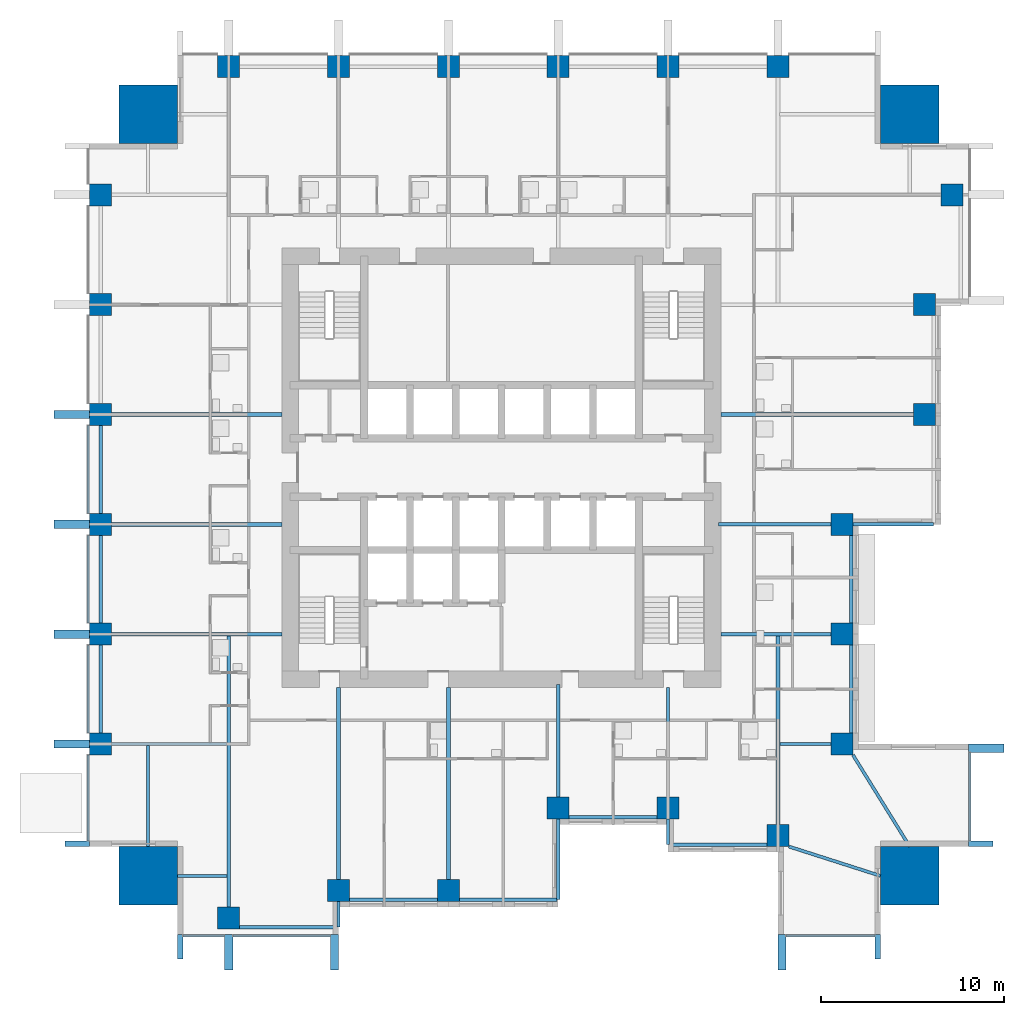
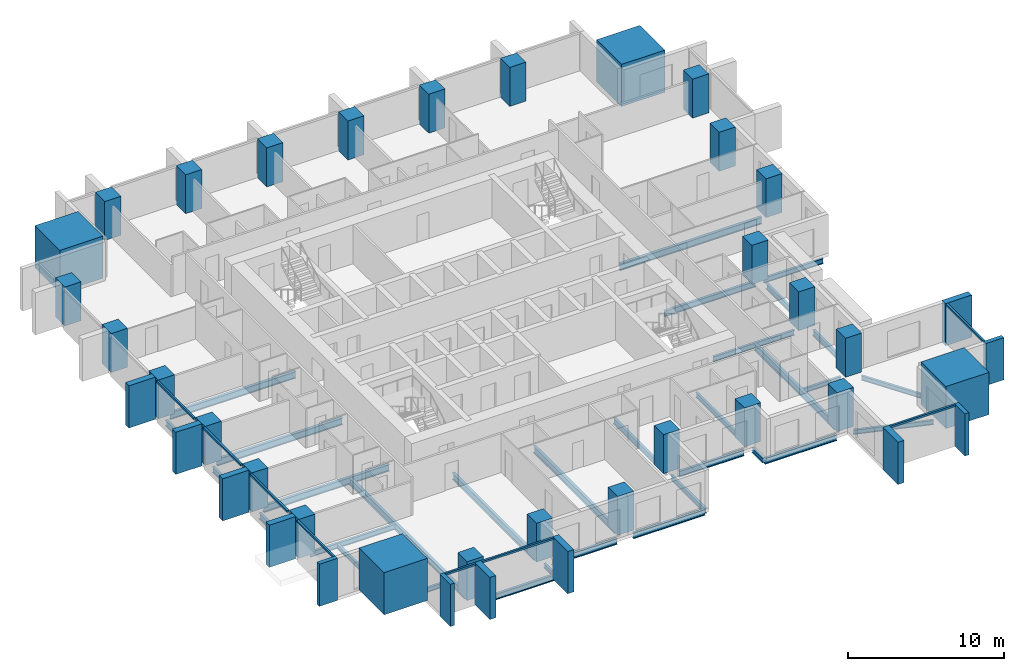
# One storey, part 1 of 10: 32 beams, 28 columns, 20 members, 4 elements without a shape of their own.
"""IFC4 building model written with IfcOpenShell, lengths in metres."""

import ifcopenshell
import ifcopenshell.guid

model = None  # the IFC model being written
_history = None  # IfcOwnerHistory: only IFC2X3 demands one
_inside = {}  # id of a spatial element -> (the spatial element, [elements in it])
_under = {}  # id of a project, library or spatial element -> (it, [spatial elements below it])
_declared = {}  # id of a project -> (the project, [libraries it declares])
_typed = {}  # id of a type object -> (the type object, [elements of that type])
_made_of = {}  # id of a material, layer set ... -> (it, [elements and type objects made of it])


def new_model(schema):
    """Start an empty IFC model of exactly this schema.

    Asked for "IFC4X3", IfcOpenShell would pick the latest addendum, in which some entities
    have other attributes; the version numbers below select the first issue.
    IFC2X3 requires an IfcOwnerHistory on every rooted entity: one is made here for all.
    """
    global model, _history
    if schema == "IFC4X3":
        model = ifcopenshell.file(schema_version=(4, 3, 0, 0))
    else:
        model = ifcopenshell.file(schema=schema)
    _inside.clear()
    _under.clear()
    _declared.clear()
    _typed.clear()
    _made_of.clear()
    _history = None
    if model.schema == "IFC2X3":
        org = make("IfcOrganization", Name="unknown")
        user = make(
            "IfcPersonAndOrganization",
            ThePerson=make("IfcPerson", FamilyName="unknown"),
            TheOrganization=org,
        )
        app = make(
            "IfcApplication",
            ApplicationDeveloper=org,
            Version="unknown",
            ApplicationFullName="unknown",
            ApplicationIdentifier="unknown",
        )
        _history = make(
            "IfcOwnerHistory",
            OwningUser=user,
            OwningApplication=app,
            ChangeAction="ADDED",
            CreationDate=0,
        )
    return model


def make(cls, **values):
    """One entity of the class cls with the attributes given. An attribute that is None is left unset."""
    return model.create_entity(
        cls, **{name: value for name, value in values.items() if value is not None}
    )


def rooted(cls, **values):
    """An entity with a GlobalId (a new one), such as an element, a storey or a relation."""
    return make(cls, GlobalId=ifcopenshell.guid.new(), OwnerHistory=_history, **values)


def si_unit(unit_type, name, prefix=None):
    """IfcSIUnit, for example si_unit("LENGTHUNIT", "METRE", prefix="MILLI")."""
    return make("IfcSIUnit", UnitType=unit_type, Prefix=prefix, Name=name)


def assignment(units):
    """IfcUnitAssignment: the units of a project."""
    return None if units is None else make("IfcUnitAssignment", Units=units)


def point(xyz):
    """IfcCartesianPoint."""
    return None if xyz is None else make("IfcCartesianPoint", Coordinates=xyz)


def direction(xyz):
    """IfcDirection."""
    return None if xyz is None else make("IfcDirection", DirectionRatios=xyz)


def frame(location, z_axis=None, x_axis=None):
    """IfcAxis2Placement3D, a coordinate frame: its origin and axes. An axis left out is left unset."""
    return make(
        "IfcAxis2Placement3D",
        Location=point(location),
        Axis=direction(z_axis),
        RefDirection=direction(x_axis),
    )


def frame_2d(location, x_axis=None):
    """IfcAxis2Placement2D, a coordinate frame in the plane: its origin and x axis."""
    return make(
        "IfcAxis2Placement2D", Location=point(location), RefDirection=direction(x_axis)
    )


def origin():
    """The frame at (0, 0, 0) with its axes left unset."""
    return frame((0.0, 0.0, 0.0))


def origin_2d():
    """The frame at (0, 0) in the plane with its x axis left unset."""
    return frame_2d((0.0, 0.0))


def place(relative_to, where):
    """IfcLocalPlacement: puts the frame where relative to a parent placement (None: the world)."""
    return make(
        "IfcLocalPlacement", PlacementRelTo=relative_to, RelativePlacement=where
    )


def context(
    kind, dimensions, precision=None, world=None, true_north=None, identifier=None
):
    """IfcGeometricRepresentationContext, for example the 3D "Model" context."""
    return make(
        "IfcGeometricRepresentationContext",
        ContextIdentifier=identifier,
        ContextType=kind,
        CoordinateSpaceDimension=dimensions,
        Precision=precision,
        WorldCoordinateSystem=world,
        TrueNorth=true_north,
    )


def subcontext(parent, identifier, kind, view, scale=None):
    """IfcGeometricRepresentationSubContext, for example "Body" below "Model"."""
    return make(
        "IfcGeometricRepresentationSubContext",
        ContextIdentifier=identifier,
        ContextType=kind,
        ParentContext=parent,
        TargetScale=scale,
        TargetView=view,
    )


def project(units=None, contexts=None):
    """IfcProject with its units and contexts."""
    return rooted(
        "IfcProject",
        Name="project",
        RepresentationContexts=contexts,
        UnitsInContext=assignment(units),
    )


def spatial(cls, under=None, at=None, **own):
    """A site, building, storey or space (cls), placed at a placement, below another one or the project."""
    s = rooted(cls, ObjectPlacement=at, **own)
    if under is not None:
        _under.setdefault(under.id(), (under, []))[1].append(s)
    return s


def profile(cls, at=None, kind="AREA", **sizes):
    """A parametric profile (cls). Its sizes go by their IFC names, for example OverallWidth=200.0."""
    return make(cls, ProfileType=kind, Position=at, **sizes)


def rectangle(**sizes):
    """IfcRectangleProfileDef."""
    return profile("IfcRectangleProfileDef", **sizes)


def i_section(**sizes):
    """IfcIShapeProfileDef."""
    return profile("IfcIShapeProfileDef", **sizes)


def extrude(swept, where, along, depth):
    """IfcExtrudedAreaSolid: the profile swept, set in the frame where, extruded along a direction by depth."""
    return make(
        "IfcExtrudedAreaSolid",
        SweptArea=swept,
        Position=where,
        ExtrudedDirection=direction(along),
        Depth=depth,
    )


def shape(context_of_items, identifier, shape_type, items):
    """IfcShapeRepresentation: the items that make up one representation, for example the "Body"."""
    return make(
        "IfcShapeRepresentation",
        ContextOfItems=context_of_items,
        RepresentationIdentifier=identifier,
        RepresentationType=shape_type,
        Items=items,
    )


def material(Name=None, Category=None):
    """IfcMaterial."""
    return make("IfcMaterial", Name=Name, Category=Category)


def material_profile(
    of_material, cross_section, Name=None, Category=None, Priority=None
):
    """IfcMaterialProfile: a cross section and its material."""
    return make(
        "IfcMaterialProfile",
        Name=Name,
        Material=of_material,
        Profile=cross_section,
        Priority=Priority,
        Category=Category,
    )


def profile_set(profiles, Name=None, composite=None):
    """IfcMaterialProfileSet."""
    return make(
        "IfcMaterialProfileSet",
        Name=Name,
        MaterialProfiles=profiles,
        CompositeProfile=composite,
    )


def made_of(thing, what):
    """Note that an element or type object is made of a material, layer set ...; save() writes the relation."""
    if what is not None:
        _made_of.setdefault(what.id(), (what, []))[1].append(thing)
    return thing


def type_object(cls, material=None, **own):
    """A type object (cls), such as IfcWallType, which elements share."""
    return made_of(rooted(cls, **own), material)


def element(
    cls,
    number,
    at=None,
    inside=None,
    cuts=None,
    type_object=None,
    material=None,
    context=None,
    identifier="Body",
    shape_type=None,
    held_by="IfcProductDefinitionShape",
    body=None,
    shapes=None,
    **own,
):
    """One element of the class cls, such as IfcWall. Its Tag is "e" and its number.

    at: its placement. inside: the storey or other place that contains it. cuts: it is an
    opening in that element (IfcRelVoidsElement). A single representation is given by context,
    identifier, shape_type and body (its items); several are given by shapes. held_by: the class
    of the entity that holds the representations. save() writes the other relations.
    """
    e = rooted(cls, Tag="e%d" % number, ObjectPlacement=at, **own)
    if body is not None:
        shapes = [shape(context, identifier, shape_type, body)]
    if shapes is not None:
        e.Representation = make(held_by, Representations=shapes)
    if inside is not None:
        _inside.setdefault(inside.id(), (inside, []))[1].append(e)
    if cuts is not None:
        rooted(
            "IfcRelVoidsElement", RelatingBuildingElement=cuts, RelatedOpeningElement=e
        )
    if type_object is not None:
        _typed.setdefault(type_object.id(), (type_object, []))[1].append(e)
    return made_of(e, material)


def aggregate(whole, parts):
    """IfcRelAggregates: a whole, such as a stair, and the parts it consists of."""
    return rooted("IfcRelAggregates", RelatingObject=whole, RelatedObjects=parts)


def save(model, path):
    """Write the relations noted so far, then the file.

    IfcRelAggregates (storeys below a building ...), IfcRelContainedInSpatialStructure (elements
    in a storey), IfcRelDefinesByType, IfcRelAssociatesMaterial and IfcRelDeclares: one each for
    every whole, place, type object, material and project.
    """
    for whole, parts in _under.values():
        aggregate(whole, parts)
    for where, things in _inside.values():
        rooted(
            "IfcRelContainedInSpatialStructure",
            RelatedElements=things,
            RelatingStructure=where,
        )
    for kind, things in _typed.values():
        rooted("IfcRelDefinesByType", RelatedObjects=things, RelatingType=kind)
    for what, things in _made_of.values():
        rooted("IfcRelAssociatesMaterial", RelatedObjects=things, RelatingMaterial=what)
    for by, libraries in _declared.values():
        rooted("IfcRelDeclares", RelatingContext=by, RelatedDefinitions=libraries)
    model.write(path)


model = new_model("IFC4")

# Units and contexts
model_context = context("Model", 3, precision=1e-05, world=origin(), true_north=direction((0.0, 1.0)))
body_context = subcontext(model_context, "Body", "Model", "MODEL_VIEW")
ifc_project = project(units=[si_unit("LENGTHUNIT", "METRE"), si_unit("AREAUNIT", "SQUARE_METRE"), si_unit("VOLUMEUNIT", "CUBIC_METRE"), si_unit("PLANEANGLEUNIT", "RADIAN"), si_unit("MASSUNIT", "GRAM", prefix="KILO")], contexts=[model_context])

# Site, building, storey
site_placement = place(None, origin())
site = spatial("IfcSite", under=ifc_project, at=site_placement, CompositionType="ELEMENT")
building_placement = place(site_placement, origin())
building = spatial("IfcBuilding", under=site, at=building_placement, Name="Amberfall Residences", CompositionType="ELEMENT")
storey_placement = place(building_placement, frame((0.0, 0.0, 26.800048828125)))
storey = spatial("IfcBuildingStorey", under=building, at=storey_placement, Name="L06", CompositionType="ELEMENT", Elevation=26.800048828125)

# Columns
ifc_material_1 = material(Name="Concrete C80", Category="concrete")
ifc_material_profile_1 = material_profile(ifc_material_1, rectangle(XDim=1.199951171875, YDim=1.199951171875, at=origin_2d()), Name="Column 1200 x 1200 C80")
ifc_profile_set_1 = profile_set([ifc_material_profile_1], Name="Concrete C80")
column_type_1 = type_object("IfcColumnType", Name="Column 1200 x 1200 C80", PredefinedType="COLUMN", material=ifc_profile_set_1)
for number, where, z_axis, x_axis, name in (
    (1, (59.60009765625, 20.89990234375, 0.0), (0.0, 0.0, 1.0), (1.0, 0.0, 0.0), "Column C1 L06 S1"),
    (2, (65.60009765625, 22.39990234375, 0.0), (0.0, 0.0, 1.0), (1.0, 0.0, 0.0), "Column C1 L06 S2"),
    (3, (71.60009765625, 22.39990234375, 0.0), (0.0, 0.0, 1.0), (1.0, 0.0, 0.0), "Column C1 L06 S3"),
    (4, (77.60009765625, 26.89990234375, 0.0), (0.0, 0.0, 1.0), (1.0, 0.0, 0.0), "Column C1 L06 S4"),
    (5, (83.60009765625, 26.89990234375, 0.0), (0.0, 0.0, 1.0), (1.0, 0.0, 0.0), "Column C1 L06 S5"),
    (6, (89.60009765625, 25.39990234375, 0.0), (0.0, 0.0, 1.0), (1.0, 0.0, 0.0), "Column C1 L06 S6"),
    (7, (93.10009765625, 30.39990234375, 0.0), (0.0, 0.0, 1.0), (1.0, 0.0, 0.0), "Column C1 L06 E1"),
    (8, (93.10009765625, 36.39990234375, 0.0), (0.0, 0.0, 1.0), (1.0, 0.0, 0.0), "Column C1 L06 E2"),
    (9, (93.10009765625, 42.39990234375, 0.0), (0.0, 0.0, 1.0), (1.0, 0.0, 0.0), "Column C1 L06 E3"),
    (10, (97.60009765625, 48.39990234375, 0.0), (0.0, 0.0, 1.0), (1.0, 0.0, 0.0), "Column C1 L06 E4"),
    (11, (97.60009765625, 54.39990234375, 0.0), (0.0, 0.0, 1.0), (1.0, 0.0, 0.0), "Column C1 L06 E5"),
    (12, (99.10009765625, 60.39990234375, 0.0), (0.0, 0.0, 1.0), (1.0, 0.0, 0.0), "Column C1 L06 E6"),
    (13, (59.60009765625, 67.39990234375, 0.0), (0.0, 0.0, 1.0), (1.0, 0.0, 0.0), "Column C1 L06 N1"),
    (14, (65.60009765625, 67.39990234375, 0.0), (0.0, 0.0, 1.0), (1.0, 0.0, 0.0), "Column C1 L06 N2"),
    (15, (71.60009765625, 67.39990234375, 0.0), (0.0, 0.0, 1.0), (1.0, 0.0, 0.0), "Column C1 L06 N3"),
    (16, (77.60009765625, 67.39990234375, 0.0), (0.0, 0.0, 1.0), (1.0, 0.0, 0.0), "Column C1 L06 N4"),
    (17, (83.60009765625, 67.39990234375, 0.0), (0.0, 0.0, 1.0), (1.0, 0.0, 0.0), "Column C1 L06 N5"),
    (18, (89.60009765625, 67.39990234375, 0.0), (0.0, 0.0, 1.0), (1.0, 0.0, 0.0), "Column C1 L06 N6"),
    (19, (52.60009765625, 30.39990234375, 0.0), (0.0, 0.0, 1.0), (1.0, 0.0, 0.0), "Column C1 L06 W1"),
    (20, (52.60009765625, 36.39990234375, 0.0), (0.0, 0.0, 1.0), (1.0, 0.0, 0.0), "Column C1 L06 W2"),
    (21, (52.60009765625, 42.39990234375, 0.0), (0.0, 0.0, 1.0), (1.0, 0.0, 0.0), "Column C1 L06 W3"),
    (22, (52.60009765625, 48.39990234375, 0.0), (0.0, 0.0, 1.0), (1.0, 0.0, 0.0), "Column C1 L06 W4"),
    (23, (52.60009765625, 54.39990234375, 0.0), (0.0, 0.0, 1.0), (1.0, 0.0, 0.0), "Column C1 L06 W5"),
    (24, (52.60009765625, 60.39990234375, 0.0), (0.0, 0.0, 1.0), (1.0, 0.0, 0.0), "Column C1 L06 W6"),
):
    element("IfcColumn", number, at=place(storey_placement, frame(where, z_axis=z_axis, x_axis=x_axis)), inside=storey, type_object=column_type_1, Name=name, PredefinedType="COLUMN", context=body_context, shape_type="SweptSolid", body=[
        extrude(rectangle(XDim=1.199951171875, YDim=1.199951171875, at=origin_2d()), origin(), (0.0, 0.0, 1.0), 3.050048828125),
    ])
ifc_material_profile_2 = material_profile(ifc_material_1, rectangle(XDim=3.199951171875, YDim=3.199951171875, at=origin_2d()), Name="Mega column 3200 x 3200 C80")
ifc_profile_set_2 = profile_set([ifc_material_profile_2], Name="Concrete C80")
column_type_2 = type_object("IfcColumnType", Name="Mega column 3200 x 3200 C80", PredefinedType="COLUMN", material=ifc_profile_set_2)
for number, where, z_axis, x_axis, name in (
    (25, (55.199951171875, 23.199951171875, 0.0), (0.0, 0.0, 1.0), (1.0, 0.0, 0.0), "Mega column MC1 L06 SW"),
    (26, (96.800048828125, 23.199951171875, 0.0), (0.0, 0.0, 1.0), (1.0, 0.0, 0.0), "Mega column MC1 L06 SE"),
    (27, (96.800048828125, 64.800048828125, 0.0), (0.0, 0.0, 1.0), (1.0, 0.0, 0.0), "Mega column MC1 L06 NE"),
    (28, (55.199951171875, 64.800048828125, 0.0), (0.0, 0.0, 1.0), (1.0, 0.0, 0.0), "Mega column MC1 L06 NW"),
):
    element("IfcColumn", number, at=place(storey_placement, frame(where, z_axis=z_axis, x_axis=x_axis)), inside=storey, type_object=column_type_2, Name=name, PredefinedType="COLUMN", context=body_context, shape_type="SweptSolid", body=[
        extrude(rectangle(XDim=3.199951171875, YDim=3.199951171875, at=origin_2d()), origin(), (0.0, 0.0, 1.0), 3.300048828125),
    ])

# Curtain wall, members
ifc_material_2 = material(Name="Bronze anodised aluminium and glass", Category="aluminium")
curtain_wall_type = type_object("IfcCurtainWallType", Name="Curtain wall CW1 tower unit", PredefinedType="USERDEFINED", material=ifc_material_2)
curtain_wall_1_placement = place(storey_placement, origin())
curtain_wall_1 = element("IfcCurtainWall", 29, at=curtain_wall_1_placement, inside=storey, type_object=curtain_wall_type, Name="Curtain wall L06 S S1", ObjectType="UNITISED CURTAIN WALL", PredefinedType="USERDEFINED")
ifc_material_3 = material(Name="Bronze anodised aluminium", Category="aluminium")
ifc_material_profile_3 = material_profile(ifc_material_3, rectangle(XDim=0.14990234375, YDim=0.14990234375, at=origin_2d()), Name="CW1 transom 150 x 150 bronze")
ifc_profile_set_3 = profile_set([ifc_material_profile_3], Name="Bronze anodised aluminium")
member_type_1 = type_object("IfcMemberType", Name="CW1 transom 150 x 150 bronze", PredefinedType="USERDEFINED", material=ifc_profile_set_3)
member_1_placement = place(storey_placement, frame((57.10009765625, 19.925048828125, 2.974853515625), z_axis=(1.0, 0.0, 0.0), x_axis=(0.0, 1.0, 0.0)))
member_1 = element("IfcMember", 30, at=member_1_placement, type_object=member_type_1, Name="CW1 transom 1.1", ObjectType="TRANSOM", PredefinedType="USERDEFINED", context=body_context, shape_type="SweptSolid", body=[
    extrude(rectangle(XDim=0.14990234375, YDim=0.14990234375, at=origin_2d()), origin(), (0.0, 0.0, 1.0), 2.27490234375),
])
member_2_placement = place(storey_placement, frame((59.824951171875, 19.925048828125, 2.974853515625), z_axis=(1.0, 0.0, 0.0), x_axis=(0.0, 1.0, 0.0)))
member_2 = element("IfcMember", 31, at=member_2_placement, type_object=member_type_1, Name="CW1 transom 2.1", ObjectType="TRANSOM", PredefinedType="USERDEFINED", context=body_context, shape_type="SweptSolid", body=[
    extrude(rectangle(XDim=0.14990234375, YDim=0.14990234375, at=origin_2d()), origin(), (0.0, 0.0, 1.0), 5.324951171875),
])

# Curtain wall, member
curtain_wall_2_placement = place(storey_placement, origin())
curtain_wall_2 = element("IfcCurtainWall", 32, at=curtain_wall_2_placement, inside=storey, type_object=curtain_wall_type, Name="Curtain wall L06 S S10", ObjectType="UNITISED CURTAIN WALL", PredefinedType="USERDEFINED")
member_3_placement = place(storey_placement, frame((90.050048828125, 19.925048828125, 2.974853515625), z_axis=(1.0, 0.0, 0.0), x_axis=(0.0, 1.0, 0.0)))
member_3 = element("IfcMember", 33, at=member_3_placement, type_object=member_type_1, Name="CW1 transom 1.1", ObjectType="TRANSOM", PredefinedType="USERDEFINED", context=body_context, shape_type="SweptSolid", body=[
    extrude(rectangle(XDim=0.14990234375, YDim=0.14990234375, at=origin_2d()), origin(), (0.0, 0.0, 1.0), 4.849853515625),
])

curtain_wall_3_placement = place(storey_placement, origin())
curtain_wall_3 = element("IfcCurtainWall", 34, at=curtain_wall_3_placement, inside=storey, type_object=curtain_wall_type, Name="Curtain wall L06 E E1", ObjectType="UNITISED CURTAIN WALL", PredefinedType="USERDEFINED")
member_4_placement = place(storey_placement, frame((100.074951171875, 25.10009765625, 2.974853515625), z_axis=(0.0, 1.0, 0.0), x_axis=(-1.0, 0.0, 0.0)))
member_4 = element("IfcMember", 35, at=member_4_placement, type_object=member_type_1, Name="CW1 transom 1.1", ObjectType="TRANSOM", PredefinedType="USERDEFINED", context=body_context, shape_type="SweptSolid", body=[
    extrude(rectangle(XDim=0.14990234375, YDim=0.14990234375, at=origin_2d()), origin(), (0.0, 0.0, 1.0), 4.849853515625),
])

# Curtain wall, members
curtain_wall_4_placement = place(storey_placement, origin())
curtain_wall_4 = element("IfcCurtainWall", 36, at=curtain_wall_4_placement, inside=storey, type_object=curtain_wall_type, Name="Curtain wall L06 W W1", ObjectType="UNITISED CURTAIN WALL", PredefinedType="USERDEFINED")
member_5_placement = place(storey_placement, frame((51.925048828125, 47.794921875, 2.974853515625), z_axis=(0.0, -1.0, 0.0), x_axis=(1.0, 0.0, 0.0)))
member_5 = element("IfcMember", 37, at=member_5_placement, type_object=member_type_1, Name="CW1 transom 4.1", ObjectType="TRANSOM", PredefinedType="USERDEFINED", context=body_context, shape_type="SweptSolid", body=[
    extrude(rectangle(XDim=0.14990234375, YDim=0.14990234375, at=origin_2d()), origin(), (0.0, 0.0, 1.0), 4.7900390625),
])
member_6_placement = place(storey_placement, frame((51.925048828125, 41.794921875, 2.974853515625), z_axis=(0.0, -1.0, 0.0), x_axis=(1.0, 0.0, 0.0)))
member_6 = element("IfcMember", 38, at=member_6_placement, type_object=member_type_1, Name="CW1 transom 5.1", ObjectType="TRANSOM", PredefinedType="USERDEFINED", context=body_context, shape_type="SweptSolid", body=[
    extrude(rectangle(XDim=0.14990234375, YDim=0.14990234375, at=origin_2d()), origin(), (0.0, 0.0, 1.0), 4.7900390625),
])
member_7_placement = place(storey_placement, frame((51.925048828125, 35.794921875, 2.974853515625), z_axis=(0.0, -1.0, 0.0), x_axis=(1.0, 0.0, 0.0)))
member_7 = element("IfcMember", 39, at=member_7_placement, type_object=member_type_1, Name="CW1 transom 6.1", ObjectType="TRANSOM", PredefinedType="USERDEFINED", context=body_context, shape_type="SweptSolid", body=[
    extrude(rectangle(XDim=0.14990234375, YDim=0.14990234375, at=origin_2d()), origin(), (0.0, 0.0, 1.0), 4.7900390625),
])
member_8_placement = place(storey_placement, frame((51.925048828125, 29.794921875, 2.974853515625), z_axis=(0.0, -1.0, 0.0), x_axis=(1.0, 0.0, 0.0)))
member_8 = element("IfcMember", 40, at=member_8_placement, type_object=member_type_1, Name="CW1 transom 7.1", ObjectType="TRANSOM", PredefinedType="USERDEFINED", context=body_context, shape_type="SweptSolid", body=[
    extrude(rectangle(XDim=0.14990234375, YDim=0.14990234375, at=origin_2d()), origin(), (0.0, 0.0, 1.0), 4.69482421875),
])

# Beams
ifc_material_4 = material(Name="Steel S355", Category="steel")
ifc_material_profile_4 = material_profile(ifc_material_4, i_section(OverallWidth=0.171142578125, OverallDepth=0.351318359375, WebThickness=0.007080078125, FlangeThickness=0.009765625, FilletRadius=0.01025390625, at=origin_2d()), Name="UB 356x171x45")
ifc_profile_set_4 = profile_set([ifc_material_profile_4], Name="Steel S355")
beam_type_1 = type_object("IfcBeamType", Name="Cantilever girder UB 356x171x45", PredefinedType="BEAM", material=ifc_profile_set_4)
for number, where, z_axis, x_axis, name in (
    (41, (65.60009765625, 21.800048828125, -0.42578125), (0.0, -1.0, 0.0), (1.0, 0.0, 0.0), "Cantilever girder B8 L06 06"),
    (42, (83.60009765625, 26.300048828125, -0.42578125), (0.0, -1.0, 0.0), (1.0, 0.0, 0.0), "Cantilever girder B8 L06 08"),
):
    element("IfcBeam", number, at=place(storey_placement, frame(where, z_axis=z_axis, x_axis=x_axis)), inside=storey, type_object=beam_type_1, Name=name, PredefinedType="BEAM", context=body_context, shape_type="SweptSolid", body=[
        extrude(i_section(OverallWidth=0.171142578125, OverallDepth=0.351318359375, WebThickness=0.007080078125, FlangeThickness=0.009765625, FilletRadius=0.01025390625, at=origin_2d()), origin(), (0.0, 0.0, 1.0), 1.400146484375),
    ])
ifc_material_profile_5 = material_profile(ifc_material_4, i_section(OverallWidth=0.177734375, OverallDepth=0.402587890625, WebThickness=0.0078125, FlangeThickness=0.010986328125, FilletRadius=0.01025390625, at=origin_2d()), Name="UB 406x178x54")
ifc_profile_set_5 = profile_set([ifc_material_profile_5], Name="Steel S355")
beam_type_2 = type_object("IfcBeamType", Name="Cantilever girder UB 406x178x54", PredefinedType="BEAM", material=ifc_profile_set_5)
for number, where, z_axis, x_axis, name in (
    (43, (77.60009765625, 26.300048828125, -0.451416015625), (0.0, -1.0, 0.0), (1.0, 0.0, 0.0), "Cantilever girder B9 L06 07"),
    (44, (93.699951171875, 42.39990234375, -0.451416015625), (1.0, 0.0, 0.0), (0.0, 1.0, 0.0), "Cantilever girder B9 L06 20"),
):
    element("IfcBeam", number, at=place(storey_placement, frame(where, z_axis=z_axis, x_axis=x_axis)), inside=storey, type_object=beam_type_2, Name=name, PredefinedType="BEAM", context=body_context, shape_type="SweptSolid", body=[
        extrude(i_section(OverallWidth=0.177734375, OverallDepth=0.402587890625, WebThickness=0.0078125, FlangeThickness=0.010986328125, FilletRadius=0.01025390625, at=origin_2d()), origin(), (0.0, 0.0, 1.0), 4.400146484375),
    ])

# Member
ifc_material_profile_6 = material_profile(ifc_material_3, rectangle(XDim=1.35009765625, YDim=0.300048828125, at=origin_2d()), Name="Corner fin 300 x 1350 bronze")
ifc_profile_set_6 = profile_set([ifc_material_profile_6], Name="Bronze anodised aluminium")
member_type_2 = type_object("IfcMemberType", Name="Corner fin 300 x 1350 bronze", PredefinedType="MULLION", material=ifc_profile_set_6)
member_9_placement = place(storey_placement, frame((56.949951171875, 19.324951171875, -0.25), z_axis=(0.0, 0.0, 1.0), x_axis=(0.0, 1.0, 0.0)))
member_9 = element("IfcMember", 45, at=member_9_placement, type_object=member_type_2, Name="CW FIN 1", PredefinedType="MULLION", context=body_context, shape_type="SweptSolid", body=[
    extrude(rectangle(XDim=1.35009765625, YDim=0.300048828125, at=origin_2d()), origin(), (0.0, 0.0, 1.0), 3.300048828125),
])

member_10_placement = place(storey_placement, frame((95.050048828125, 19.324951171875, -0.25), z_axis=(0.0, 0.0, 1.0), x_axis=(0.0, 1.0, 0.0)))
member_10 = element("IfcMember", 46, at=member_10_placement, type_object=member_type_2, Name="CW FIN 2", PredefinedType="MULLION", context=body_context, shape_type="SweptSolid", body=[
    extrude(rectangle(XDim=1.35009765625, YDim=0.300048828125, at=origin_2d()), origin(), (0.0, 0.0, 1.0), 3.300048828125),
])

member_11_placement = place(storey_placement, frame((100.675048828125, 24.949951171875, -0.25), z_axis=(0.0, 0.0, 1.0), x_axis=(-1.0, 0.0, 0.0)))
member_11 = element("IfcMember", 47, at=member_11_placement, type_object=member_type_2, Name="CW FIN 1", PredefinedType="MULLION", context=body_context, shape_type="SweptSolid", body=[
    extrude(rectangle(XDim=1.35009765625, YDim=0.300048828125, at=origin_2d()), origin(), (0.0, 0.0, 1.0), 3.300048828125),
])

member_12_placement = place(storey_placement, frame((51.324951171875, 24.949951171875, -0.25), z_axis=(0.0, 0.0, 1.0), x_axis=(1.0, 0.0, 0.0)))
member_12 = element("IfcMember", 48, at=member_12_placement, type_object=member_type_2, Name="CW FIN 8", PredefinedType="MULLION", context=body_context, shape_type="SweptSolid", body=[
    extrude(rectangle(XDim=1.35009765625, YDim=0.300048828125, at=origin_2d()), origin(), (0.0, 0.0, 1.0), 3.300048828125),
])

# Beams
ifc_material_profile_7 = material_profile(ifc_material_4, i_section(OverallWidth=0.18994140625, OverallDepth=0.453369140625, WebThickness=0.008544921875, FlangeThickness=0.0126953125, FilletRadius=0.01025390625, at=origin_2d()), Name="UB 457x191x67")
ifc_profile_set_7 = profile_set([ifc_material_profile_7], Name="Steel S355")
beam_type_3 = type_object("IfcBeamType", Name="Edge beam UB 457x191x67", PredefinedType="SPANDREL", material=ifc_profile_set_7)
beam_1_placement = place(storey_placement, frame((60.199951171875, 20.39990234375, -0.476806640625), z_axis=(1.0, 0.0, 0.0), x_axis=(0.0, 1.0, 0.0)))
element("IfcBeam", 49, at=beam_1_placement, inside=storey, type_object=beam_type_3, Name="Edge beam B1 L06 01", PredefinedType="SPANDREL", context=body_context, shape_type="SweptSolid", body=[
    extrude(i_section(OverallWidth=0.18994140625, OverallDepth=0.453369140625, WebThickness=0.008544921875, FlangeThickness=0.0126953125, FilletRadius=0.01025390625, at=origin_2d()), origin(), (0.0, 0.0, 1.0), 5.320068359375),
])
beam_2_placement = place(storey_placement, frame((66.199951171875, 21.89990234375, -0.476806640625), z_axis=(1.0, 0.0, 0.0), x_axis=(0.0, 1.0, 0.0)))
element("IfcBeam", 50, at=beam_2_placement, inside=storey, type_object=beam_type_3, Name="Edge beam B1 L06 02", PredefinedType="SPANDREL", context=body_context, shape_type="SweptSolid", body=[
    extrude(i_section(OverallWidth=0.18994140625, OverallDepth=0.453369140625, WebThickness=0.008544921875, FlangeThickness=0.0126953125, FilletRadius=0.01025390625, at=origin_2d()), origin(), (0.0, 0.0, 1.0), 4.800048828125),
])
beam_3_placement = place(storey_placement, frame((72.199951171875, 21.89990234375, -0.476806640625), z_axis=(1.0, 0.0, 0.0), x_axis=(0.0, 1.0, 0.0)))
element("IfcBeam", 51, at=beam_3_placement, inside=storey, type_object=beam_type_3, Name="Edge beam B1 L06 03", PredefinedType="SPANDREL", context=body_context, shape_type="SweptSolid", body=[
    extrude(i_section(OverallWidth=0.18994140625, OverallDepth=0.453369140625, WebThickness=0.008544921875, FlangeThickness=0.0126953125, FilletRadius=0.01025390625, at=origin_2d()), origin(), (0.0, 0.0, 1.0), 5.320068359375),
])
beam_4_placement = place(storey_placement, frame((78.199951171875, 26.39990234375, -0.476806640625), z_axis=(1.0, 0.0, 0.0), x_axis=(0.0, 1.0, 0.0)))
element("IfcBeam", 52, at=beam_4_placement, inside=storey, type_object=beam_type_3, Name="Edge beam B1 L06 04", PredefinedType="SPANDREL", context=body_context, shape_type="SweptSolid", body=[
    extrude(i_section(OverallWidth=0.18994140625, OverallDepth=0.453369140625, WebThickness=0.008544921875, FlangeThickness=0.0126953125, FilletRadius=0.01025390625, at=origin_2d()), origin(), (0.0, 0.0, 1.0), 4.800048828125),
])
beam_5_placement = place(storey_placement, frame((83.679931640625, 24.89990234375, -0.476806640625), z_axis=(1.0, 0.0, 0.0), x_axis=(0.0, 1.0, 0.0)))
element("IfcBeam", 53, at=beam_5_placement, inside=storey, type_object=beam_type_3, Name="Edge beam B1 L06 05", PredefinedType="SPANDREL", context=body_context, shape_type="SweptSolid", body=[
    extrude(i_section(OverallWidth=0.18994140625, OverallDepth=0.453369140625, WebThickness=0.008544921875, FlangeThickness=0.0126953125, FilletRadius=0.01025390625, at=origin_2d()), origin(), (0.0, 0.0, 1.0), 5.320068359375),
])
for number, where, z_axis, x_axis, name in (
    (54, (93.60009765625, 31.0, -0.476806640625), (0.0, 1.0, 0.0), (-1.0, 0.0, 0.0), "Edge beam B1 L06 15"),
    (55, (93.60009765625, 37.0, -0.476806640625), (0.0, 1.0, 0.0), (-1.0, 0.0, 0.0), "Edge beam B1 L06 16"),
    (56, (52.60009765625, 31.0, -0.476806640625), (0.0, 1.0, 0.0), (-1.0, 0.0, 0.0), "Edge beam B1 L06 39"),
    (57, (52.60009765625, 37.0, -0.476806640625), (0.0, 1.0, 0.0), (-1.0, 0.0, 0.0), "Edge beam B1 L06 40"),
    (58, (52.60009765625, 43.0, -0.476806640625), (0.0, 1.0, 0.0), (-1.0, 0.0, 0.0), "Edge beam B1 L06 41"),
):
    element("IfcBeam", number, at=place(storey_placement, frame(where, z_axis=z_axis, x_axis=x_axis)), inside=storey, type_object=beam_type_3, Name=name, PredefinedType="SPANDREL", context=body_context, shape_type="SweptSolid", body=[
        extrude(i_section(OverallWidth=0.18994140625, OverallDepth=0.453369140625, WebThickness=0.008544921875, FlangeThickness=0.0126953125, FilletRadius=0.01025390625, at=origin_2d()), origin(), (0.0, 0.0, 1.0), 4.800048828125),
    ])

# Member
ifc_material_profile_8 = material_profile(ifc_material_3, rectangle(XDim=1.949951171875, YDim=0.449951171875, at=origin_2d()), Name="Fin 450 x 1950 bronze")
ifc_profile_set_8 = profile_set([ifc_material_profile_8], Name="Bronze anodised aluminium")
member_type_3 = type_object("IfcMemberType", Name="Fin 450 x 1950 bronze", PredefinedType="MULLION", material=ifc_profile_set_8)
member_13_placement = place(storey_placement, frame((59.60009765625, 19.02490234375, -0.25), z_axis=(0.0, 0.0, 1.0), x_axis=(0.0, 1.0, 0.0)))
member_13 = element("IfcMember", 59, at=member_13_placement, type_object=member_type_3, Name="CW FIN 2", PredefinedType="MULLION", context=body_context, shape_type="SweptSolid", body=[
    extrude(rectangle(XDim=1.949951171875, YDim=0.449951171875, at=origin_2d()), origin(), (0.0, 0.0, 1.0), 3.300048828125),
])

member_14_placement = place(storey_placement, frame((65.375, 19.02490234375, -0.25), z_axis=(0.0, 0.0, 1.0), x_axis=(0.0, 1.0, 0.0)))
member_14 = element("IfcMember", 60, at=member_14_placement, type_object=member_type_3, Name="CW FIN 3", PredefinedType="MULLION", context=body_context, shape_type="SweptSolid", body=[
    extrude(rectangle(XDim=1.949951171875, YDim=0.449951171875, at=origin_2d()), origin(), (0.0, 0.0, 1.0), 3.300048828125),
])

aggregate(curtain_wall_1, [member_9, member_13, member_14, member_1, member_2])

member_15_placement = place(storey_placement, frame((89.824951171875, 19.02490234375, -0.25), z_axis=(0.0, 0.0, 1.0), x_axis=(0.0, 1.0, 0.0)))
member_15 = element("IfcMember", 61, at=member_15_placement, type_object=member_type_3, Name="CW FIN 1", PredefinedType="MULLION", context=body_context, shape_type="SweptSolid", body=[
    extrude(rectangle(XDim=1.949951171875, YDim=0.449951171875, at=origin_2d()), origin(), (0.0, 0.0, 1.0), 3.300048828125),
])

aggregate(curtain_wall_2, [member_15, member_10, member_3])

member_16_placement = place(storey_placement, frame((100.97509765625, 30.175048828125, -0.25), z_axis=(0.0, 0.0, 1.0), x_axis=(-1.0, 0.0, 0.0)))
member_16 = element("IfcMember", 62, at=member_16_placement, type_object=member_type_3, Name="CW FIN 2", PredefinedType="MULLION", context=body_context, shape_type="SweptSolid", body=[
    extrude(rectangle(XDim=1.949951171875, YDim=0.449951171875, at=origin_2d()), origin(), (0.0, 0.0, 1.0), 3.300048828125),
])

aggregate(curtain_wall_3, [member_11, member_16, member_4])

member_17_placement = place(storey_placement, frame((51.02490234375, 48.39990234375, -0.25), z_axis=(0.0, 0.0, 1.0), x_axis=(1.0, 0.0, 0.0)))
member_17 = element("IfcMember", 63, at=member_17_placement, type_object=member_type_3, Name="CW FIN 4", PredefinedType="MULLION", context=body_context, shape_type="SweptSolid", body=[
    extrude(rectangle(XDim=1.949951171875, YDim=0.449951171875, at=origin_2d()), origin(), (0.0, 0.0, 1.0), 3.300048828125),
])

member_18_placement = place(storey_placement, frame((51.02490234375, 42.39990234375, -0.25), z_axis=(0.0, 0.0, 1.0), x_axis=(1.0, 0.0, 0.0)))
member_18 = element("IfcMember", 64, at=member_18_placement, type_object=member_type_3, Name="CW FIN 5", PredefinedType="MULLION", context=body_context, shape_type="SweptSolid", body=[
    extrude(rectangle(XDim=1.949951171875, YDim=0.449951171875, at=origin_2d()), origin(), (0.0, 0.0, 1.0), 3.300048828125),
])

member_19_placement = place(storey_placement, frame((51.02490234375, 36.39990234375, -0.25), z_axis=(0.0, 0.0, 1.0), x_axis=(1.0, 0.0, 0.0)))
member_19 = element("IfcMember", 65, at=member_19_placement, type_object=member_type_3, Name="CW FIN 6", PredefinedType="MULLION", context=body_context, shape_type="SweptSolid", body=[
    extrude(rectangle(XDim=1.949951171875, YDim=0.449951171875, at=origin_2d()), origin(), (0.0, 0.0, 1.0), 3.300048828125),
])

member_20_placement = place(storey_placement, frame((51.02490234375, 30.39990234375, -0.25), z_axis=(0.0, 0.0, 1.0), x_axis=(1.0, 0.0, 0.0)))
member_20 = element("IfcMember", 66, at=member_20_placement, type_object=member_type_3, Name="CW FIN 7", PredefinedType="MULLION", context=body_context, shape_type="SweptSolid", body=[
    extrude(rectangle(XDim=1.949951171875, YDim=0.449951171875, at=origin_2d()), origin(), (0.0, 0.0, 1.0), 3.300048828125),
])

aggregate(curtain_wall_4, [member_17, member_18, member_19, member_20, member_12, member_5, member_6, member_7, member_8])

# Beams
ifc_material_profile_9 = material_profile(ifc_material_4, i_section(OverallWidth=0.171142578125, OverallDepth=0.351318359375, WebThickness=0.007080078125, FlangeThickness=0.009765625, FilletRadius=0.01025390625, at=origin_2d()), Name="UB 356x171x45")
ifc_profile_set_9 = profile_set([ifc_material_profile_9], Name="Steel S355")
beam_type_4 = type_object("IfcBeamType", Name="Floor girder UB 356x171x45", PredefinedType="BEAM", material=ifc_profile_set_9)
beam_6_placement = place(storey_placement, frame((92.5, 30.39990234375, -0.42578125), z_axis=(-1.0, 0.0, 0.0), x_axis=(0.0, -1.0, 0.0)))
element("IfcBeam", 67, at=beam_6_placement, inside=storey, type_object=beam_type_4, Name="Floor girder B11 L06 22", PredefinedType="BEAM", context=body_context, shape_type="SweptSolid", body=[
    extrude(i_section(OverallWidth=0.171142578125, OverallDepth=0.351318359375, WebThickness=0.007080078125, FlangeThickness=0.009765625, FilletRadius=0.01025390625, at=origin_2d()), origin(), (0.0, 0.0, 1.0), 2.780029296875),
])
ifc_material_profile_10 = material_profile(ifc_material_4, i_section(OverallWidth=0.177734375, OverallDepth=0.402587890625, WebThickness=0.0078125, FlangeThickness=0.010986328125, FilletRadius=0.01025390625, at=origin_2d()), Name="UB 406x178x54")
ifc_profile_set_10 = profile_set([ifc_material_profile_10], Name="Steel S355")
beam_type_5 = type_object("IfcBeamType", Name="Floor girder UB 406x178x54", PredefinedType="BEAM", material=ifc_profile_set_10)
for number, where, z_axis, x_axis, name in (
    (68, (83.60009765625, 27.5, -0.451416015625), (0.0, 1.0, 0.0), (-1.0, 0.0, 0.0), "Floor girder B4 L06 13"),
    (69, (92.5, 36.39990234375, -0.451416015625), (-1.0, 0.0, 0.0), (0.0, -1.0, 0.0), "Floor girder B4 L06 23"),
):
    element("IfcBeam", number, at=place(storey_placement, frame(where, z_axis=z_axis, x_axis=x_axis)), inside=storey, type_object=beam_type_5, Name=name, PredefinedType="BEAM", context=body_context, shape_type="SweptSolid", body=[
        extrude(i_section(OverallWidth=0.177734375, OverallDepth=0.402587890625, WebThickness=0.0078125, FlangeThickness=0.010986328125, FilletRadius=0.01025390625, at=origin_2d()), origin(), (0.0, 0.0, 1.0), 6.0),
    ])
beam_7_placement = place(storey_placement, frame((53.199951171875, 30.39990234375, -0.451416015625), z_axis=(1.0, 0.0, 0.0), x_axis=(0.0, 1.0, 0.0)))
element("IfcBeam", 70, at=beam_7_placement, inside=storey, type_object=beam_type_5, Name="Floor girder B4 L06 44", PredefinedType="BEAM", context=body_context, shape_type="SweptSolid", body=[
    extrude(i_section(OverallWidth=0.177734375, OverallDepth=0.402587890625, WebThickness=0.0078125, FlangeThickness=0.010986328125, FilletRadius=0.01025390625, at=origin_2d()), origin(), (0.0, 0.0, 1.0), 6.280029296875),
])
ifc_material_profile_11 = material_profile(ifc_material_4, i_section(OverallWidth=0.19140625, OverallDepth=0.4599609375, WebThickness=0.010009765625, FlangeThickness=0.01611328125, FilletRadius=0.01025390625, at=origin_2d()), Name="UB 457x191x82")
ifc_profile_set_11 = profile_set([ifc_material_profile_11], Name="Steel S355")
beam_type_6 = type_object("IfcBeamType", Name="Floor girder UB 457x191x82", PredefinedType="BEAM", material=ifc_profile_set_11)
for number, where, z_axis, x_axis, name in (
    (71, (77.60009765625, 26.89990234375, -0.47998046875), (0.0, 1.0, 0.0), (-1.0, 0.0, 0.0), "Floor girder B10 L06 12"),
    (72, (93.10009765625, 42.39990234375, -0.47998046875), (-1.0, 0.0, 0.0), (0.0, -1.0, 0.0), "Floor girder B10 L06 24"),
):
    element("IfcBeam", number, at=place(storey_placement, frame(where, z_axis=z_axis, x_axis=x_axis)), inside=storey, type_object=beam_type_6, Name=name, PredefinedType="BEAM", context=body_context, shape_type="SweptSolid", body=[
        extrude(i_section(OverallWidth=0.19140625, OverallDepth=0.4599609375, WebThickness=0.010009765625, FlangeThickness=0.01611328125, FilletRadius=0.01025390625, at=origin_2d()), origin(), (0.0, 0.0, 1.0), 6.75),
    ])
ifc_material_profile_12 = material_profile(ifc_material_4, i_section(OverallWidth=0.210693359375, OverallDepth=0.53955078125, WebThickness=0.01171875, FlangeThickness=0.018798828125, FilletRadius=0.0126953125, at=origin_2d()), Name="UB 533x210x109")
ifc_profile_set_12 = profile_set([ifc_material_profile_12], Name="Steel S355")
beam_type_7 = type_object("IfcBeamType", Name="Floor girder UB 533x210x109", PredefinedType="BEAM", material=ifc_profile_set_12)
beam_8_placement = place(storey_placement, frame((59.60009765625, 21.5, -0.519775390625), z_axis=(0.0, 1.0, 0.0), x_axis=(-1.0, 0.0, 0.0)))
element("IfcBeam", 73, at=beam_8_placement, inside=storey, type_object=beam_type_7, Name="Floor girder B2 L06 09", PredefinedType="BEAM", context=body_context, shape_type="SweptSolid", body=[
    extrude(i_section(OverallWidth=0.210693359375, OverallDepth=0.53955078125, WebThickness=0.01171875, FlangeThickness=0.018798828125, FilletRadius=0.0126953125, at=origin_2d()), origin(), (0.0, 0.0, 1.0), 14.80029296875),
])
ifc_material_profile_13 = material_profile(ifc_material_4, i_section(OverallWidth=0.209228515625, OverallDepth=0.533203125, WebThickness=0.010009765625, FlangeThickness=0.015625, FilletRadius=0.0126953125, at=origin_2d()), Name="UB 533x210x92")
ifc_profile_set_13 = profile_set([ifc_material_profile_13], Name="Steel S355")
beam_type_8 = type_object("IfcBeamType", Name="Floor girder UB 533x210x92", PredefinedType="BEAM", material=ifc_profile_set_13)
for number, where, z_axis, x_axis, name in (
    (74, (65.60009765625, 23.0, -0.5166015625), (0.0, 1.0, 0.0), (-1.0, 0.0, 0.0), "Floor girder B3 L06 10"),
    (75, (71.60009765625, 23.0, -0.5166015625), (0.0, 1.0, 0.0), (-1.0, 0.0, 0.0), "Floor girder B3 L06 11"),
):
    element("IfcBeam", number, at=place(storey_placement, frame(where, z_axis=z_axis, x_axis=x_axis)), inside=storey, type_object=beam_type_8, Name=name, PredefinedType="BEAM", context=body_context, shape_type="SweptSolid", body=[
        extrude(i_section(OverallWidth=0.209228515625, OverallDepth=0.533203125, WebThickness=0.010009765625, FlangeThickness=0.015625, FilletRadius=0.0126953125, at=origin_2d()), origin(), (0.0, 0.0, 1.0), 10.5),
    ])
beam_9_placement = place(storey_placement, frame((89.60009765625, 26.0, -0.5166015625), z_axis=(0.0, 1.0, 0.0), x_axis=(-1.0, 0.0, 0.0)))
element("IfcBeam", 76, at=beam_9_placement, inside=storey, type_object=beam_type_8, Name="Floor girder B3 L06 14", PredefinedType="BEAM", context=body_context, shape_type="SweptSolid", body=[
    extrude(i_section(OverallWidth=0.209228515625, OverallDepth=0.533203125, WebThickness=0.010009765625, FlangeThickness=0.015625, FilletRadius=0.0126953125, at=origin_2d()), origin(), (0.0, 0.0, 1.0), 10.316162109375),
])
beam_10_placement = place(storey_placement, frame((97.0, 48.39990234375, -0.5166015625), z_axis=(-1.0, 0.0, 0.0), x_axis=(0.0, -1.0, 0.0)))
element("IfcBeam", 77, at=beam_10_placement, inside=storey, type_object=beam_type_8, Name="Floor girder B3 L06 25", PredefinedType="BEAM", context=body_context, shape_type="SweptSolid", body=[
    extrude(i_section(OverallWidth=0.209228515625, OverallDepth=0.533203125, WebThickness=0.010009765625, FlangeThickness=0.015625, FilletRadius=0.0126953125, at=origin_2d()), origin(), (0.0, 0.0, 1.0), 10.5),
])
for number, where, z_axis, x_axis, name in (
    (78, (53.199951171875, 36.39990234375, -0.5166015625), (1.0, 0.0, 0.0), (0.0, 1.0, 0.0), "Floor girder B3 L06 45"),
    (79, (53.199951171875, 42.39990234375, -0.5166015625), (1.0, 0.0, 0.0), (0.0, 1.0, 0.0), "Floor girder B3 L06 46"),
    (80, (53.199951171875, 48.39990234375, -0.5166015625), (1.0, 0.0, 0.0), (0.0, 1.0, 0.0), "Floor girder B3 L06 47"),
):
    element("IfcBeam", number, at=place(storey_placement, frame(where, z_axis=z_axis, x_axis=x_axis)), inside=storey, type_object=beam_type_8, Name=name, PredefinedType="BEAM", context=body_context, shape_type="SweptSolid", body=[
        extrude(i_section(OverallWidth=0.209228515625, OverallDepth=0.533203125, WebThickness=0.010009765625, FlangeThickness=0.015625, FilletRadius=0.0126953125, at=origin_2d()), origin(), (0.0, 0.0, 1.0), 9.300048828125),
    ])
ifc_material_profile_14 = material_profile(ifc_material_4, i_section(OverallWidth=0.171142578125, OverallDepth=0.351318359375, WebThickness=0.007080078125, FlangeThickness=0.009765625, FilletRadius=0.01025390625, at=origin_2d()), Name="UB 356x171x45")
ifc_profile_set_14 = profile_set([ifc_material_profile_14], Name="Steel S355")
beam_type_9 = type_object("IfcBeamType", Name="Link beam UB 356x171x45", PredefinedType="BEAM", material=ifc_profile_set_14)
beam_11_placement = place(storey_placement, frame((56.800048828125, 23.199951171875, -0.42578125), z_axis=(1.0, 0.0, 0.0), x_axis=(0.0, 1.0, 0.0)))
element("IfcBeam", 81, at=beam_11_placement, inside=storey, type_object=beam_type_9, Name="Link beam B7 L06 50", PredefinedType="BEAM", context=body_context, shape_type="SweptSolid", body=[
    extrude(i_section(OverallWidth=0.171142578125, OverallDepth=0.351318359375, WebThickness=0.007080078125, FlangeThickness=0.009765625, FilletRadius=0.01025390625, at=origin_2d()), origin(), (0.0, 0.0, 1.0), 2.70458984375),
])
beam_12_placement = place(storey_placement, frame((55.199951171875, 24.800048828125, -0.42578125), z_axis=(0.0, 1.0, 0.0), x_axis=(-1.0, 0.0, 0.0)))
element("IfcBeam", 82, at=beam_12_placement, inside=storey, type_object=beam_type_9, Name="Link beam B7 L06 51", PredefinedType="BEAM", context=body_context, shape_type="SweptSolid", body=[
    extrude(i_section(OverallWidth=0.171142578125, OverallDepth=0.351318359375, WebThickness=0.007080078125, FlangeThickness=0.009765625, FilletRadius=0.01025390625, at=origin_2d()), origin(), (0.0, 0.0, 1.0), 5.521240234375),
])
beam_13_placement = place(storey_placement, frame((95.199951171875, 23.199951171875, -0.42578125), z_axis=(-0.952418747361, 0.304792601084, 0.0), x_axis=(-0.304792601084, -0.952418747361, 0.0)))
element("IfcBeam", 83, at=beam_13_placement, inside=storey, type_object=beam_type_9, Name="Link beam B7 L06 52", PredefinedType="BEAM", context=body_context, shape_type="SweptSolid", body=[
    extrude(i_section(OverallWidth=0.171142578125, OverallDepth=0.351318359375, WebThickness=0.007080078125, FlangeThickness=0.009765625, FilletRadius=0.01025390625, at=origin_2d()), origin(), (0.0, 0.0, 1.0), 5.249755859375),
])
beam_14_placement = place(storey_placement, frame((96.800048828125, 24.800048828125, -0.42578125), z_axis=(-0.526951659214, 0.849895257577, 0.0), x_axis=(-0.849895257577, -0.526951659214, 0.0)))
element("IfcBeam", 84, at=beam_14_placement, inside=storey, type_object=beam_type_9, Name="Link beam B7 L06 53", PredefinedType="BEAM", context=body_context, shape_type="SweptSolid", body=[
    extrude(i_section(OverallWidth=0.171142578125, OverallDepth=0.351318359375, WebThickness=0.007080078125, FlangeThickness=0.009765625, FilletRadius=0.01025390625, at=origin_2d()), origin(), (0.0, 0.0, 1.0), 5.883056640625),
])

save(model, "model.ifc")
